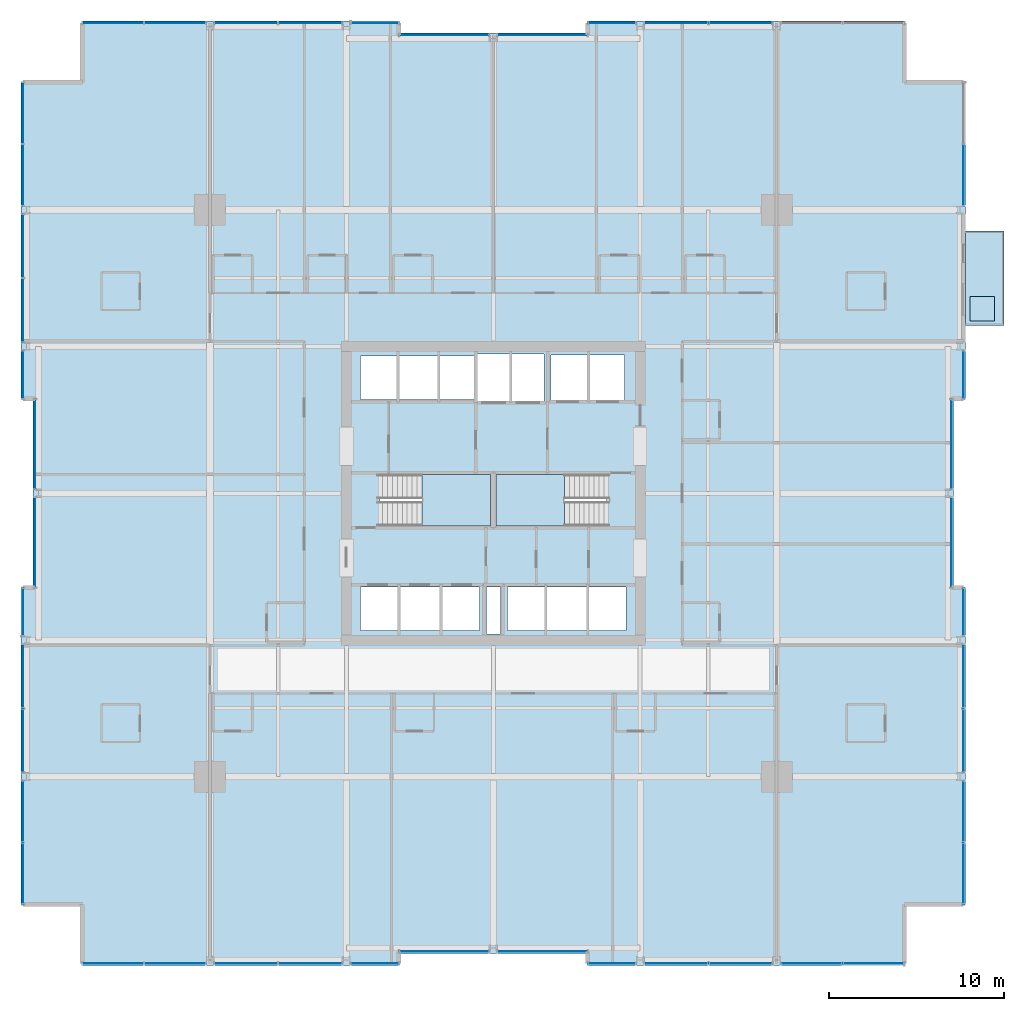
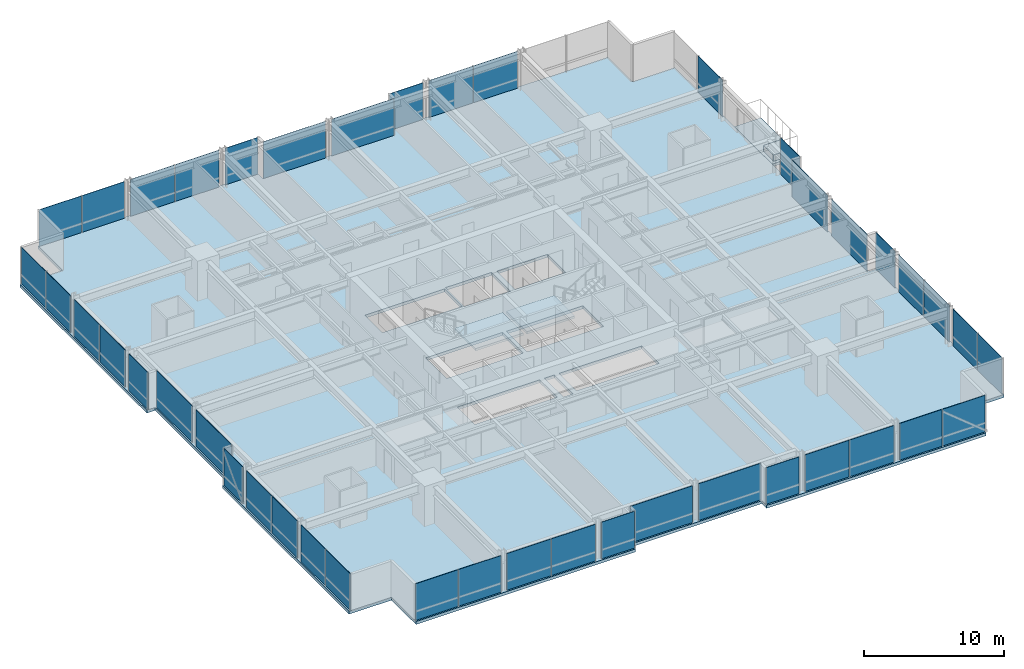
# One storey, part 29 of 38: 43 plates, 5 slabs, 32 elements without a shape of their own.
"""IFC4 building model written with IfcOpenShell, lengths in metres."""

from ifc_helpers import new_model, si_unit, direction, frame, origin, origin_2d, place, context, subcontext, project, spatial, polyline, rectangle, outline, extrude, material, layer, layer_set, type_object, element, aggregate, save


model = new_model("IFC4")

# Units and contexts
model_context = context("Model", 3, precision=1e-05, world=origin(), true_north=direction((0.0, 1.0)))
body_context = subcontext(model_context, "Body", "Model", "MODEL_VIEW")
ifc_project = project(units=[si_unit("LENGTHUNIT", "METRE"), si_unit("AREAUNIT", "SQUARE_METRE"), si_unit("VOLUMEUNIT", "CUBIC_METRE"), si_unit("PLANEANGLEUNIT", "RADIAN"), si_unit("MASSUNIT", "GRAM", prefix="KILO")], contexts=[model_context])

# Site, building, storey
site_placement = place(None, origin())
site = spatial("IfcSite", under=ifc_project, at=site_placement, CompositionType="ELEMENT")
building_placement = place(site_placement, origin())
building = spatial("IfcBuilding", under=site, at=building_placement, Name="Drelvath Grand Hotel", CompositionType="ELEMENT")
storey_placement = place(building_placement, frame((0.0, 0.0, 68.199951171875)))
storey = spatial("IfcBuildingStorey", under=building, at=storey_placement, Name="L16", CompositionType="ELEMENT", Elevation=68.199951171875)

# Slabs
ifc_material_1 = material(Name="Concrete f'c 40 MPa", Category="concrete")
ifc_layer_1 = layer(ifc_material_1, 0.239990234375)
ifc_layer_set_1 = layer_set([ifc_layer_1], Name="Concrete f'c 40 MPa")
slab_type_1 = type_object("IfcSlabType", Name="Cantilevered Tree Balcony Slab 240", PredefinedType="FLOOR", material=ifc_layer_set_1)
slab_1_placement = place(storey_placement, frame((0.0, 0.0, -0.239990234375)))
element("IfcSlab", 1, at=slab_1_placement, inside=storey, type_object=slab_type_1, Name="L16 Cantilevered Tree Balcony Slab 1", PredefinedType="FLOOR", context=body_context, shape_type="SweptSolid", body=[
    extrude(outline(polyline([(27.0, 36.60009765625), (29.199951171875, 36.60009765625), (29.199951171875, 42.0), (27.0, 42.0), (27.0, 36.60009765625)])), origin(), (0.0, 0.0, 1.0), 0.239990234375),
])
ifc_layer_2 = layer(ifc_material_1, 0.260009765625)
ifc_layer_set_2 = layer_set([ifc_layer_2], Name="Concrete f'c 40 MPa")
slab_type_2 = type_object("IfcSlabType", Name="Composite RC Floor Slab 260", PredefinedType="FLOOR", material=ifc_layer_set_2)
slab_2_placement = place(storey_placement, frame((0.0, 0.0, -0.260009765625)))
element("IfcSlab", 2, at=slab_2_placement, inside=storey, type_object=slab_type_2, Name="L16 Structural Floor Slab", PredefinedType="FLOOR", context=body_context, shape_type="SweptSolid", body=[
    extrude(outline(polyline([(-23.5, 0.0), (-5.39990234375, 0.0), (-5.39990234375, 0.679931640625), (5.39990234375, 0.679931640625), (5.39990234375, 0.0), (23.5, 0.0), (23.5, 3.5), (27.0, 3.5), (27.0, 21.60009765625), (26.320068359375, 21.60009765625), (26.320068359375, 32.39990234375), (27.0, 32.39990234375), (27.0, 50.5), (23.5, 50.5), (23.5, 54.0), (5.39990234375, 54.0), (5.39990234375, 53.320068359375), (-5.39990234375, 53.320068359375), (-5.39990234375, 54.0), (-23.5, 54.0), (-23.5, 50.5), (-27.0, 50.5), (-27.0, 32.39990234375), (-26.320068359375, 32.39990234375), (-26.320068359375, 21.60009765625), (-27.0, 21.60009765625), (-27.0, 3.5), (-23.5, 3.5), (-23.5, 0.0)]), holes=[polyline([(-6.47998046875, 25.1201171875), (-6.47998046875, 28.080078125), (-0.14990234375, 28.080078125), (-0.14990234375, 25.1201171875), (-6.47998046875, 25.1201171875)]), polyline([(0.14990234375, 25.1201171875), (0.14990234375, 28.080078125), (6.47998046875, 28.080078125), (6.47998046875, 25.1201171875), (0.14990234375, 25.1201171875)]), polyline([(-7.60009765625, 19.14990234375), (-7.60009765625, 21.64990234375), (-0.800048828125, 21.64990234375), (-0.800048828125, 19.14990234375), (-7.60009765625, 19.14990234375)]), polyline([(-0.39990234375, 18.9599609375), (-0.39990234375, 21.639892578125), (0.39990234375, 21.639892578125), (0.39990234375, 18.9599609375), (-0.39990234375, 18.9599609375)]), polyline([(0.800048828125, 19.14990234375), (0.800048828125, 21.64990234375), (7.60009765625, 21.64990234375), (7.60009765625, 19.14990234375), (0.800048828125, 19.14990234375)]), polyline([(-7.60009765625, 32.35009765625), (-7.60009765625, 34.85009765625), (-1.02001953125, 34.85009765625), (-1.02001953125, 32.35009765625), (-7.60009765625, 32.35009765625)]), polyline([(-0.89990234375, 32.25), (-0.89990234375, 34.949951171875), (2.89990234375, 34.949951171875), (2.89990234375, 32.25), (-0.89990234375, 32.25)]), polyline([(3.300048828125, 32.300048828125), (3.300048828125, 34.89990234375), (7.5, 34.89990234375), (7.5, 32.300048828125), (3.300048828125, 32.300048828125)])]), origin(), (0.0, 0.0, 1.0), 0.260009765625),
])

# Stair, slab
ifc_material_2 = material(Name="Concrete C40/50", Category="concrete")
stair_type = type_object("IfcStairType", Name="Dogleg Exit Stair W1400-R175.0", PredefinedType="HALF_TURN_STAIR", material=ifc_material_2)
stair_1_placement = place(storey_placement, origin())
stair_1 = element("IfcStair", 3, at=stair_1_placement, inside=storey, type_object=stair_type, Name="L16 Core Exit Stair ST-1", PredefinedType="HALF_TURN_STAIR")
ifc_layer_3 = layer(ifc_material_2, 0.199951171875)
ifc_layer_set_3 = layer_set([ifc_layer_3], Name="Concrete C40/50")
slab_type_3 = type_object("IfcSlabType", Name="Concrete Stair Landing Slab 200", PredefinedType="LANDING", material=ifc_layer_set_3)
slab_3_placement = place(storey_placement, frame((0.0, 0.0, 1.550048828125)))
slab_3 = element("IfcSlab", 4, at=slab_3_placement, type_object=slab_type_3, Name="ST-1 landing 1", PredefinedType="LANDING", context=body_context, shape_type="SweptSolid", body=[
    extrude(outline(polyline([(-4.080078125, 25.1201171875), (-0.14990234375, 25.1201171875), (-0.14990234375, 28.080078125), (-4.080078125, 28.080078125), (-4.080078125, 25.1201171875)])), origin(), (0.0, 0.0, 1.0), 0.199951171875),
])
aggregate(stair_1, [slab_3])

stair_2_placement = place(storey_placement, origin())
stair_2 = element("IfcStair", 5, at=stair_2_placement, inside=storey, type_object=stair_type, Name="L16 Core Exit Stair ST-2", PredefinedType="HALF_TURN_STAIR")
slab_4_placement = place(storey_placement, frame((0.0, 0.0, 1.550048828125)))
slab_4 = element("IfcSlab", 6, at=slab_4_placement, type_object=slab_type_3, Name="ST-2 landing 1", PredefinedType="LANDING", context=body_context, shape_type="SweptSolid", body=[
    extrude(outline(polyline([(4.080078125, 28.080078125), (0.14990234375, 28.080078125), (0.14990234375, 25.1201171875), (4.080078125, 25.1201171875), (4.080078125, 28.080078125)])), origin(), (0.0, 0.0, 1.0), 0.199951171875),
])
aggregate(stair_2, [slab_4])

# Curtain wall, plates
ifc_material_3 = material(Name="Warm Bronze Anodised Aluminium Frame", Category="aluminium")
ifc_layer_4 = layer(ifc_material_3, 0.199951171875)
ifc_layer_set_4 = layer_set([ifc_layer_4], Name="Warm Bronze Anodised Aluminium Frame")
curtain_wall_type = type_object("IfcCurtainWallType", Name="Stick Curtain Wall CW-02 Warm Bronze Low-Rise", PredefinedType="NOTDEFINED", material=ifc_layer_set_4)
curtain_wall_1_placement = place(storey_placement, origin())
curtain_wall_1 = element("IfcCurtainWall", 7, at=curtain_wall_1_placement, inside=storey, type_object=curtain_wall_type, Name="L16 CW-02 Curtain Wall CW02-L16-WS1", PredefinedType="NOTDEFINED")
ifc_material_4 = material(Name="Low-E Triple Silver Vision Glass Bronze Tint", Category="glass")
ifc_layer_5 = layer(ifc_material_4, 0.035888671875)
ifc_layer_set_5 = layer_set([ifc_layer_5], Name="Low-E Triple Silver Vision Glass Bronze Tint")
plate_type = type_object("IfcPlateType", Name="Curtain Wall Vision Panel CW-02 36mm", PredefinedType="CURTAIN_PANEL", material=ifc_layer_set_5)
plate_1_placement = place(storey_placement, frame((-26.8798828125, 5.267578125, 0.02001953125), z_axis=(0.0, 0.0, 1.0), x_axis=(0.0, 1.0, 0.0)))
plate_1 = element("IfcPlate", 8, at=plate_1_placement, type_object=plate_type, Name="CW02-L16-WS1 Glazed Panel 1", PredefinedType="CURTAIN_PANEL", context=body_context, shape_type="SweptSolid", body=[
    extrude(rectangle(XDim=3.495361328125, YDim=0.035888671875, at=origin_2d()), origin(), (0.0, 0.0, 1.0), 3.199951171875),
])
plate_2_placement = place(storey_placement, frame((-26.8798828125, 8.80322265625, 0.02001953125), z_axis=(0.0, 0.0, 1.0), x_axis=(0.0, 1.0, 0.0)))
plate_2 = element("IfcPlate", 9, at=plate_2_placement, type_object=plate_type, Name="CW02-L16-WS1 Glazed Panel 2", PredefinedType="CURTAIN_PANEL", context=body_context, shape_type="SweptSolid", body=[
    extrude(rectangle(XDim=3.495361328125, YDim=0.035888671875, at=origin_2d()), origin(), (0.0, 0.0, 1.0), 3.199951171875),
])
aggregate(curtain_wall_1, [plate_1, plate_2])

curtain_wall_2_placement = place(storey_placement, origin())
curtain_wall_2 = element("IfcCurtainWall", 10, at=curtain_wall_2_placement, inside=storey, type_object=curtain_wall_type, Name="L16 CW-02 Curtain Wall CW02-L16-WS2", PredefinedType="NOTDEFINED")
plate_3_placement = place(storey_placement, frame((-26.8798828125, 12.864501953125, 0.02001953125), z_axis=(0.0, 0.0, 1.0), x_axis=(0.0, 1.0, 0.0)))
plate_3 = element("IfcPlate", 11, at=plate_3_placement, type_object=plate_type, Name="CW02-L16-WS2 Glazed Panel 1", PredefinedType="CURTAIN_PANEL", context=body_context, shape_type="SweptSolid", body=[
    extrude(rectangle(XDim=3.630859375, YDim=0.035888671875, at=origin_2d()), origin(), (0.0, 0.0, 1.0), 3.199951171875),
])
plate_4_placement = place(storey_placement, frame((-26.8798828125, 16.535400390625, 0.02001953125), z_axis=(0.0, 0.0, 1.0), x_axis=(0.0, 1.0, 0.0)))
plate_4 = element("IfcPlate", 12, at=plate_4_placement, type_object=plate_type, Name="CW02-L16-WS2 Glazed Panel 2", PredefinedType="CURTAIN_PANEL", context=body_context, shape_type="SweptSolid", body=[
    extrude(rectangle(XDim=3.630859375, YDim=0.035888671875, at=origin_2d()), origin(), (0.0, 0.0, 1.0), 3.199951171875),
])
aggregate(curtain_wall_2, [plate_3, plate_4])

# Curtain wall, plate
curtain_wall_3_placement = place(storey_placement, origin())
curtain_wall_3 = element("IfcCurtainWall", 13, at=curtain_wall_3_placement, inside=storey, type_object=curtain_wall_type, Name="L16 CW-02 Curtain Wall CW02-L16-WS3", PredefinedType="NOTDEFINED")
plate_5_placement = place(storey_placement, frame((-26.8798828125, 20.214599609375, 0.02001953125), z_axis=(0.0, 0.0, 1.0), x_axis=(0.0, 1.0, 0.0)))
plate_5 = element("IfcPlate", 14, at=plate_5_placement, type_object=plate_type, Name="CW02-L16-WS3 Glazed Panel 1", PredefinedType="CURTAIN_PANEL", context=body_context, shape_type="SweptSolid", body=[
    extrude(rectangle(XDim=2.73095703125, YDim=0.035888671875, at=origin_2d()), origin(), (0.0, 0.0, 1.0), 3.199951171875),
])
aggregate(curtain_wall_3, [plate_5])

curtain_wall_4_placement = place(storey_placement, origin())
curtain_wall_4 = element("IfcCurtainWall", 15, at=curtain_wall_4_placement, inside=storey, type_object=curtain_wall_type, Name="L16 CW-02 Curtain Wall CW02-L16-WM1", PredefinedType="NOTDEFINED")
plate_6_placement = place(storey_placement, frame((-26.199951171875, 24.185302734375, 0.02001953125), z_axis=(0.0, 0.0, 1.0), x_axis=(0.0, 1.0, 0.0)))
plate_6 = element("IfcPlate", 16, at=plate_6_placement, type_object=plate_type, Name="CW02-L16-WM1 Glazed Panel 1", PredefinedType="CURTAIN_PANEL", context=body_context, shape_type="SweptSolid", body=[
    extrude(rectangle(XDim=5.130859375, YDim=0.035888671875, at=origin_2d()), origin(), (0.0, 0.0, 1.0), 3.199951171875),
])
aggregate(curtain_wall_4, [plate_6])

curtain_wall_5_placement = place(storey_placement, origin())
curtain_wall_5 = element("IfcCurtainWall", 17, at=curtain_wall_5_placement, inside=storey, type_object=curtain_wall_type, Name="L16 CW-02 Curtain Wall CW02-L16-WM2", PredefinedType="NOTDEFINED")
plate_7_placement = place(storey_placement, frame((-26.199951171875, 29.814697265625, 0.02001953125), z_axis=(0.0, 0.0, 1.0), x_axis=(0.0, 1.0, 0.0)))
plate_7 = element("IfcPlate", 18, at=plate_7_placement, type_object=plate_type, Name="CW02-L16-WM2 Glazed Panel 1", PredefinedType="CURTAIN_PANEL", context=body_context, shape_type="SweptSolid", body=[
    extrude(rectangle(XDim=5.130859375, YDim=0.035888671875, at=origin_2d()), origin(), (0.0, 0.0, 1.0), 3.199951171875),
])
aggregate(curtain_wall_5, [plate_7])

curtain_wall_6_placement = place(storey_placement, origin())
curtain_wall_6 = element("IfcCurtainWall", 19, at=curtain_wall_6_placement, inside=storey, type_object=curtain_wall_type, Name="L16 CW-02 Curtain Wall CW02-L16-WN1", PredefinedType="NOTDEFINED")
plate_8_placement = place(storey_placement, frame((-26.8798828125, 33.785400390625, 0.02001953125), z_axis=(0.0, 0.0, 1.0), x_axis=(0.0, 1.0, 0.0)))
plate_8 = element("IfcPlate", 20, at=plate_8_placement, type_object=plate_type, Name="CW02-L16-WN1 Glazed Panel 1", PredefinedType="CURTAIN_PANEL", context=body_context, shape_type="SweptSolid", body=[
    extrude(rectangle(XDim=2.73095703125, YDim=0.035888671875, at=origin_2d()), origin(), (0.0, 0.0, 1.0), 3.199951171875),
])
aggregate(curtain_wall_6, [plate_8])

# Curtain wall, plates
curtain_wall_7_placement = place(storey_placement, origin())
curtain_wall_7 = element("IfcCurtainWall", 21, at=curtain_wall_7_placement, inside=storey, type_object=curtain_wall_type, Name="L16 CW-02 Curtain Wall CW02-L16-WN2", PredefinedType="NOTDEFINED")
plate_9_placement = place(storey_placement, frame((-26.8798828125, 37.464599609375, 0.02001953125), z_axis=(0.0, 0.0, 1.0), x_axis=(0.0, 1.0, 0.0)))
plate_9 = element("IfcPlate", 22, at=plate_9_placement, type_object=plate_type, Name="CW02-L16-WN2 Glazed Panel 1", PredefinedType="CURTAIN_PANEL", context=body_context, shape_type="SweptSolid", body=[
    extrude(rectangle(XDim=3.630859375, YDim=0.035888671875, at=origin_2d()), origin(), (0.0, 0.0, 1.0), 3.199951171875),
])
plate_10_placement = place(storey_placement, frame((-26.8798828125, 41.135498046875, 0.02001953125), z_axis=(0.0, 0.0, 1.0), x_axis=(0.0, 1.0, 0.0)))
plate_10 = element("IfcPlate", 23, at=plate_10_placement, type_object=plate_type, Name="CW02-L16-WN2 Glazed Panel 2", PredefinedType="CURTAIN_PANEL", context=body_context, shape_type="SweptSolid", body=[
    extrude(rectangle(XDim=3.630859375, YDim=0.035888671875, at=origin_2d()), origin(), (0.0, 0.0, 1.0), 3.199951171875),
])
aggregate(curtain_wall_7, [plate_9, plate_10])

curtain_wall_8_placement = place(storey_placement, origin())
curtain_wall_8 = element("IfcCurtainWall", 24, at=curtain_wall_8_placement, inside=storey, type_object=curtain_wall_type, Name="L16 CW-02 Curtain Wall CW02-L16-WN3", PredefinedType="NOTDEFINED")
plate_11_placement = place(storey_placement, frame((-26.8798828125, 45.19677734375, 0.02001953125), z_axis=(0.0, 0.0, 1.0), x_axis=(0.0, 1.0, 0.0)))
plate_11 = element("IfcPlate", 25, at=plate_11_placement, type_object=plate_type, Name="CW02-L16-WN3 Glazed Panel 1", PredefinedType="CURTAIN_PANEL", context=body_context, shape_type="SweptSolid", body=[
    extrude(rectangle(XDim=3.49560546875, YDim=0.035888671875, at=origin_2d()), origin(), (0.0, 0.0, 1.0), 3.199951171875),
])
plate_12_placement = place(storey_placement, frame((-26.8798828125, 48.732421875, 0.02001953125), z_axis=(0.0, 0.0, 1.0), x_axis=(0.0, 1.0, 0.0)))
plate_12 = element("IfcPlate", 26, at=plate_12_placement, type_object=plate_type, Name="CW02-L16-WN3 Glazed Panel 2", PredefinedType="CURTAIN_PANEL", context=body_context, shape_type="SweptSolid", body=[
    extrude(rectangle(XDim=3.49560546875, YDim=0.035888671875, at=origin_2d()), origin(), (0.0, 0.0, 1.0), 3.199951171875),
])
aggregate(curtain_wall_8, [plate_11, plate_12])

# Curtain wall, plate
curtain_wall_9_placement = place(storey_placement, origin())
curtain_wall_9 = element("IfcCurtainWall", 27, at=curtain_wall_9_placement, inside=storey, type_object=curtain_wall_type, Name="L16 CW-02 Curtain Wall CW02-L16-EN1", PredefinedType="NOTDEFINED")
plate_13_placement = place(storey_placement, frame((26.8798828125, 33.785400390625, 0.02001953125), z_axis=(0.0, 0.0, 1.0), x_axis=(0.0, -1.0, 0.0)))
plate_13 = element("IfcPlate", 28, at=plate_13_placement, type_object=plate_type, Name="CW02-L16-EN1 Glazed Panel 1", PredefinedType="CURTAIN_PANEL", context=body_context, shape_type="SweptSolid", body=[
    extrude(rectangle(XDim=2.73095703125, YDim=0.035888671875, at=origin_2d()), origin(), (0.0, 0.0, 1.0), 3.199951171875),
])
aggregate(curtain_wall_9, [plate_13])

curtain_wall_10_placement = place(storey_placement, origin())
curtain_wall_10 = element("IfcCurtainWall", 29, at=curtain_wall_10_placement, inside=storey, type_object=curtain_wall_type, Name="L16 CW-02 Curtain Wall CW02-L16-EN3", PredefinedType="NOTDEFINED")
plate_14_placement = place(storey_placement, frame((26.8798828125, 45.19677734375, 0.02001953125), z_axis=(0.0, 0.0, 1.0), x_axis=(0.0, -1.0, 0.0)))
plate_14 = element("IfcPlate", 30, at=plate_14_placement, type_object=plate_type, Name="CW02-L16-EN3 Glazed Panel 2", PredefinedType="CURTAIN_PANEL", context=body_context, shape_type="SweptSolid", body=[
    extrude(rectangle(XDim=3.49560546875, YDim=0.035888671875, at=origin_2d()), origin(), (0.0, 0.0, 1.0), 3.199951171875),
])
aggregate(curtain_wall_10, [plate_14])

curtain_wall_11_placement = place(storey_placement, origin())
curtain_wall_11 = element("IfcCurtainWall", 31, at=curtain_wall_11_placement, inside=storey, type_object=curtain_wall_type, Name="L16 CW-02 Curtain Wall CW02-L16-EM1", PredefinedType="NOTDEFINED")
plate_15_placement = place(storey_placement, frame((26.199951171875, 24.185302734375, 0.02001953125), z_axis=(0.0, 0.0, 1.0), x_axis=(0.0, -1.0, 0.0)))
plate_15 = element("IfcPlate", 32, at=plate_15_placement, type_object=plate_type, Name="CW02-L16-EM1 Glazed Panel 1", PredefinedType="CURTAIN_PANEL", context=body_context, shape_type="SweptSolid", body=[
    extrude(rectangle(XDim=5.130859375, YDim=0.035888671875, at=origin_2d()), origin(), (0.0, 0.0, 1.0), 3.199951171875),
])
aggregate(curtain_wall_11, [plate_15])

curtain_wall_12_placement = place(storey_placement, origin())
curtain_wall_12 = element("IfcCurtainWall", 33, at=curtain_wall_12_placement, inside=storey, type_object=curtain_wall_type, Name="L16 CW-02 Curtain Wall CW02-L16-EM2", PredefinedType="NOTDEFINED")
plate_16_placement = place(storey_placement, frame((26.199951171875, 29.814697265625, 0.02001953125), z_axis=(0.0, 0.0, 1.0), x_axis=(0.0, -1.0, 0.0)))
plate_16 = element("IfcPlate", 34, at=plate_16_placement, type_object=plate_type, Name="CW02-L16-EM2 Glazed Panel 1", PredefinedType="CURTAIN_PANEL", context=body_context, shape_type="SweptSolid", body=[
    extrude(rectangle(XDim=5.130859375, YDim=0.035888671875, at=origin_2d()), origin(), (0.0, 0.0, 1.0), 3.199951171875),
])
aggregate(curtain_wall_12, [plate_16])

# Curtain wall, plates
curtain_wall_13_placement = place(storey_placement, origin())
curtain_wall_13 = element("IfcCurtainWall", 35, at=curtain_wall_13_placement, inside=storey, type_object=curtain_wall_type, Name="L16 CW-02 Curtain Wall CW02-L16-ES1", PredefinedType="NOTDEFINED")
plate_17_placement = place(storey_placement, frame((26.8798828125, 8.80322265625, 0.02001953125), z_axis=(0.0, 0.0, 1.0), x_axis=(0.0, -1.0, 0.0)))
plate_17 = element("IfcPlate", 36, at=plate_17_placement, type_object=plate_type, Name="CW02-L16-ES1 Glazed Panel 1", PredefinedType="CURTAIN_PANEL", context=body_context, shape_type="SweptSolid", body=[
    extrude(rectangle(XDim=3.495361328125, YDim=0.035888671875, at=origin_2d()), origin(), (0.0, 0.0, 1.0), 3.199951171875),
])
plate_18_placement = place(storey_placement, frame((26.8798828125, 5.267578125, 0.02001953125), z_axis=(0.0, 0.0, 1.0), x_axis=(0.0, -1.0, 0.0)))
plate_18 = element("IfcPlate", 37, at=plate_18_placement, type_object=plate_type, Name="CW02-L16-ES1 Glazed Panel 2", PredefinedType="CURTAIN_PANEL", context=body_context, shape_type="SweptSolid", body=[
    extrude(rectangle(XDim=3.495361328125, YDim=0.035888671875, at=origin_2d()), origin(), (0.0, 0.0, 1.0), 3.199951171875),
])
aggregate(curtain_wall_13, [plate_17, plate_18])

curtain_wall_14_placement = place(storey_placement, origin())
curtain_wall_14 = element("IfcCurtainWall", 38, at=curtain_wall_14_placement, inside=storey, type_object=curtain_wall_type, Name="L16 CW-02 Curtain Wall CW02-L16-ES2", PredefinedType="NOTDEFINED")
plate_19_placement = place(storey_placement, frame((26.8798828125, 16.535400390625, 0.02001953125), z_axis=(0.0, 0.0, 1.0), x_axis=(0.0, -1.0, 0.0)))
plate_19 = element("IfcPlate", 39, at=plate_19_placement, type_object=plate_type, Name="CW02-L16-ES2 Glazed Panel 1", PredefinedType="CURTAIN_PANEL", context=body_context, shape_type="SweptSolid", body=[
    extrude(rectangle(XDim=3.630859375, YDim=0.035888671875, at=origin_2d()), origin(), (0.0, 0.0, 1.0), 3.199951171875),
])
plate_20_placement = place(storey_placement, frame((26.8798828125, 12.864501953125, 0.02001953125), z_axis=(0.0, 0.0, 1.0), x_axis=(0.0, -1.0, 0.0)))
plate_20 = element("IfcPlate", 40, at=plate_20_placement, type_object=plate_type, Name="CW02-L16-ES2 Glazed Panel 2", PredefinedType="CURTAIN_PANEL", context=body_context, shape_type="SweptSolid", body=[
    extrude(rectangle(XDim=3.630859375, YDim=0.035888671875, at=origin_2d()), origin(), (0.0, 0.0, 1.0), 3.199951171875),
])
aggregate(curtain_wall_14, [plate_19, plate_20])

# Curtain wall, plate
curtain_wall_15_placement = place(storey_placement, origin())
curtain_wall_15 = element("IfcCurtainWall", 41, at=curtain_wall_15_placement, inside=storey, type_object=curtain_wall_type, Name="L16 CW-02 Curtain Wall CW02-L16-ES3", PredefinedType="NOTDEFINED")
plate_21_placement = place(storey_placement, frame((26.8798828125, 20.214599609375, 0.02001953125), z_axis=(0.0, 0.0, 1.0), x_axis=(0.0, -1.0, 0.0)))
plate_21 = element("IfcPlate", 42, at=plate_21_placement, type_object=plate_type, Name="CW02-L16-ES3 Glazed Panel 1", PredefinedType="CURTAIN_PANEL", context=body_context, shape_type="SweptSolid", body=[
    extrude(rectangle(XDim=2.73095703125, YDim=0.035888671875, at=origin_2d()), origin(), (0.0, 0.0, 1.0), 3.199951171875),
])
aggregate(curtain_wall_15, [plate_21])

# Curtain wall, plates
curtain_wall_16_placement = place(storey_placement, origin())
curtain_wall_16 = element("IfcCurtainWall", 43, at=curtain_wall_16_placement, inside=storey, type_object=curtain_wall_type, Name="L16 CW-02 Curtain Wall CW02-L16-NW1", PredefinedType="NOTDEFINED")
plate_22_placement = place(storey_placement, frame((-21.732421875, 53.8798828125, 0.02001953125), z_axis=(0.0, 0.0, 1.0), x_axis=(1.0, 0.0, 0.0)))
plate_22 = element("IfcPlate", 44, at=plate_22_placement, type_object=plate_type, Name="CW02-L16-NW1 Glazed Panel 1", PredefinedType="CURTAIN_PANEL", context=body_context, shape_type="SweptSolid", body=[
    extrude(rectangle(XDim=3.49560546875, YDim=0.035888671875, at=origin_2d()), origin(), (0.0, 0.0, 1.0), 3.199951171875),
])
plate_23_placement = place(storey_placement, frame((-18.19677734375, 53.8798828125, 0.02001953125), z_axis=(0.0, 0.0, 1.0), x_axis=(1.0, 0.0, 0.0)))
plate_23 = element("IfcPlate", 45, at=plate_23_placement, type_object=plate_type, Name="CW02-L16-NW1 Glazed Panel 2", PredefinedType="CURTAIN_PANEL", context=body_context, shape_type="SweptSolid", body=[
    extrude(rectangle(XDim=3.49560546875, YDim=0.035888671875, at=origin_2d()), origin(), (0.0, 0.0, 1.0), 3.199951171875),
])
aggregate(curtain_wall_16, [plate_22, plate_23])

curtain_wall_17_placement = place(storey_placement, origin())
curtain_wall_17 = element("IfcCurtainWall", 46, at=curtain_wall_17_placement, inside=storey, type_object=curtain_wall_type, Name="L16 CW-02 Curtain Wall CW02-L16-NW2", PredefinedType="NOTDEFINED")
plate_24_placement = place(storey_placement, frame((-14.135498046875, 53.8798828125, 0.02001953125), z_axis=(0.0, 0.0, 1.0), x_axis=(1.0, 0.0, 0.0)))
plate_24 = element("IfcPlate", 47, at=plate_24_placement, type_object=plate_type, Name="CW02-L16-NW2 Glazed Panel 1", PredefinedType="CURTAIN_PANEL", context=body_context, shape_type="SweptSolid", body=[
    extrude(rectangle(XDim=3.630859375, YDim=0.035888671875, at=origin_2d()), origin(), (0.0, 0.0, 1.0), 3.199951171875),
])
plate_25_placement = place(storey_placement, frame((-10.464599609375, 53.8798828125, 0.02001953125), z_axis=(0.0, 0.0, 1.0), x_axis=(1.0, 0.0, 0.0)))
plate_25 = element("IfcPlate", 48, at=plate_25_placement, type_object=plate_type, Name="CW02-L16-NW2 Glazed Panel 2", PredefinedType="CURTAIN_PANEL", context=body_context, shape_type="SweptSolid", body=[
    extrude(rectangle(XDim=3.630859375, YDim=0.035888671875, at=origin_2d()), origin(), (0.0, 0.0, 1.0), 3.199951171875),
])
aggregate(curtain_wall_17, [plate_24, plate_25])

# Curtain wall, plate
curtain_wall_18_placement = place(storey_placement, origin())
curtain_wall_18 = element("IfcCurtainWall", 49, at=curtain_wall_18_placement, inside=storey, type_object=curtain_wall_type, Name="L16 CW-02 Curtain Wall CW02-L16-NW3", PredefinedType="NOTDEFINED")
plate_26_placement = place(storey_placement, frame((-6.785400390625, 53.8798828125, 0.02001953125), z_axis=(0.0, 0.0, 1.0), x_axis=(1.0, 0.0, 0.0)))
plate_26 = element("IfcPlate", 50, at=plate_26_placement, type_object=plate_type, Name="CW02-L16-NW3 Glazed Panel 1", PredefinedType="CURTAIN_PANEL", context=body_context, shape_type="SweptSolid", body=[
    extrude(rectangle(XDim=2.73095703125, YDim=0.035888671875, at=origin_2d()), origin(), (0.0, 0.0, 1.0), 3.199951171875),
])
aggregate(curtain_wall_18, [plate_26])

curtain_wall_19_placement = place(storey_placement, origin())
curtain_wall_19 = element("IfcCurtainWall", 51, at=curtain_wall_19_placement, inside=storey, type_object=curtain_wall_type, Name="L16 CW-02 Curtain Wall CW02-L16-NM1", PredefinedType="NOTDEFINED")
plate_27_placement = place(storey_placement, frame((-2.814697265625, 53.199951171875, 0.02001953125), z_axis=(0.0, 0.0, 1.0), x_axis=(1.0, 0.0, 0.0)))
plate_27 = element("IfcPlate", 52, at=plate_27_placement, type_object=plate_type, Name="CW02-L16-NM1 Glazed Panel 1", PredefinedType="CURTAIN_PANEL", context=body_context, shape_type="SweptSolid", body=[
    extrude(rectangle(XDim=5.130859375, YDim=0.035888671875, at=origin_2d()), origin(), (0.0, 0.0, 1.0), 3.199951171875),
])
aggregate(curtain_wall_19, [plate_27])

curtain_wall_20_placement = place(storey_placement, origin())
curtain_wall_20 = element("IfcCurtainWall", 53, at=curtain_wall_20_placement, inside=storey, type_object=curtain_wall_type, Name="L16 CW-02 Curtain Wall CW02-L16-NM2", PredefinedType="NOTDEFINED")
plate_28_placement = place(storey_placement, frame((2.814697265625, 53.199951171875, 0.02001953125), z_axis=(0.0, 0.0, 1.0), x_axis=(1.0, 0.0, 0.0)))
plate_28 = element("IfcPlate", 54, at=plate_28_placement, type_object=plate_type, Name="CW02-L16-NM2 Glazed Panel 1", PredefinedType="CURTAIN_PANEL", context=body_context, shape_type="SweptSolid", body=[
    extrude(rectangle(XDim=5.130859375, YDim=0.035888671875, at=origin_2d()), origin(), (0.0, 0.0, 1.0), 3.199951171875),
])
aggregate(curtain_wall_20, [plate_28])

curtain_wall_21_placement = place(storey_placement, origin())
curtain_wall_21 = element("IfcCurtainWall", 55, at=curtain_wall_21_placement, inside=storey, type_object=curtain_wall_type, Name="L16 CW-02 Curtain Wall CW02-L16-NE1", PredefinedType="NOTDEFINED")
plate_29_placement = place(storey_placement, frame((6.785400390625, 53.8798828125, 0.02001953125), z_axis=(0.0, 0.0, 1.0), x_axis=(1.0, 0.0, 0.0)))
plate_29 = element("IfcPlate", 56, at=plate_29_placement, type_object=plate_type, Name="CW02-L16-NE1 Glazed Panel 1", PredefinedType="CURTAIN_PANEL", context=body_context, shape_type="SweptSolid", body=[
    extrude(rectangle(XDim=2.73095703125, YDim=0.035888671875, at=origin_2d()), origin(), (0.0, 0.0, 1.0), 3.199951171875),
])
aggregate(curtain_wall_21, [plate_29])

# Curtain wall, plates
curtain_wall_22_placement = place(storey_placement, origin())
curtain_wall_22 = element("IfcCurtainWall", 57, at=curtain_wall_22_placement, inside=storey, type_object=curtain_wall_type, Name="L16 CW-02 Curtain Wall CW02-L16-NE2", PredefinedType="NOTDEFINED")
plate_30_placement = place(storey_placement, frame((10.464599609375, 53.8798828125, 0.02001953125), z_axis=(0.0, 0.0, 1.0), x_axis=(1.0, 0.0, 0.0)))
plate_30 = element("IfcPlate", 58, at=plate_30_placement, type_object=plate_type, Name="CW02-L16-NE2 Glazed Panel 1", PredefinedType="CURTAIN_PANEL", context=body_context, shape_type="SweptSolid", body=[
    extrude(rectangle(XDim=3.630859375, YDim=0.035888671875, at=origin_2d()), origin(), (0.0, 0.0, 1.0), 3.199951171875),
])
plate_31_placement = place(storey_placement, frame((14.135498046875, 53.8798828125, 0.02001953125), z_axis=(0.0, 0.0, 1.0), x_axis=(1.0, 0.0, 0.0)))
plate_31 = element("IfcPlate", 59, at=plate_31_placement, type_object=plate_type, Name="CW02-L16-NE2 Glazed Panel 2", PredefinedType="CURTAIN_PANEL", context=body_context, shape_type="SweptSolid", body=[
    extrude(rectangle(XDim=3.630859375, YDim=0.035888671875, at=origin_2d()), origin(), (0.0, 0.0, 1.0), 3.199951171875),
])
aggregate(curtain_wall_22, [plate_30, plate_31])

# Curtain wall, plate
curtain_wall_23_placement = place(storey_placement, origin())
curtain_wall_23 = element("IfcCurtainWall", 60, at=curtain_wall_23_placement, inside=storey, type_object=curtain_wall_type, Name="L16 CW-02 Curtain Wall CW02-L16-SE1", PredefinedType="NOTDEFINED")
plate_32_placement = place(storey_placement, frame((6.785400390625, 0.1201171875, 0.02001953125), z_axis=(0.0, 0.0, 1.0), x_axis=(-1.0, 0.0, 0.0)))
plate_32 = element("IfcPlate", 61, at=plate_32_placement, type_object=plate_type, Name="CW02-L16-SE1 Glazed Panel 1", PredefinedType="CURTAIN_PANEL", context=body_context, shape_type="SweptSolid", body=[
    extrude(rectangle(XDim=2.73095703125, YDim=0.035888671875, at=origin_2d()), origin(), (0.0, 0.0, 1.0), 3.199951171875),
])
aggregate(curtain_wall_23, [plate_32])

# Curtain wall, plates
curtain_wall_24_placement = place(storey_placement, origin())
curtain_wall_24 = element("IfcCurtainWall", 62, at=curtain_wall_24_placement, inside=storey, type_object=curtain_wall_type, Name="L16 CW-02 Curtain Wall CW02-L16-SE2", PredefinedType="NOTDEFINED")
plate_33_placement = place(storey_placement, frame((14.135498046875, 0.1201171875, 0.02001953125), z_axis=(0.0, 0.0, 1.0), x_axis=(-1.0, 0.0, 0.0)))
plate_33 = element("IfcPlate", 63, at=plate_33_placement, type_object=plate_type, Name="CW02-L16-SE2 Glazed Panel 1", PredefinedType="CURTAIN_PANEL", context=body_context, shape_type="SweptSolid", body=[
    extrude(rectangle(XDim=3.630859375, YDim=0.035888671875, at=origin_2d()), origin(), (0.0, 0.0, 1.0), 3.199951171875),
])
plate_34_placement = place(storey_placement, frame((10.464599609375, 0.1201171875, 0.02001953125), z_axis=(0.0, 0.0, 1.0), x_axis=(-1.0, 0.0, 0.0)))
plate_34 = element("IfcPlate", 64, at=plate_34_placement, type_object=plate_type, Name="CW02-L16-SE2 Glazed Panel 2", PredefinedType="CURTAIN_PANEL", context=body_context, shape_type="SweptSolid", body=[
    extrude(rectangle(XDim=3.630859375, YDim=0.035888671875, at=origin_2d()), origin(), (0.0, 0.0, 1.0), 3.199951171875),
])
aggregate(curtain_wall_24, [plate_33, plate_34])

curtain_wall_25_placement = place(storey_placement, origin())
curtain_wall_25 = element("IfcCurtainWall", 65, at=curtain_wall_25_placement, inside=storey, type_object=curtain_wall_type, Name="L16 CW-02 Curtain Wall CW02-L16-SE3", PredefinedType="NOTDEFINED")
plate_35_placement = place(storey_placement, frame((21.732421875, 0.1201171875, 0.02001953125), z_axis=(0.0, 0.0, 1.0), x_axis=(-1.0, 0.0, 0.0)))
plate_35 = element("IfcPlate", 66, at=plate_35_placement, type_object=plate_type, Name="CW02-L16-SE3 Glazed Panel 1", PredefinedType="CURTAIN_PANEL", context=body_context, shape_type="SweptSolid", body=[
    extrude(rectangle(XDim=3.49560546875, YDim=0.035888671875, at=origin_2d()), origin(), (0.0, 0.0, 1.0), 3.199951171875),
])
plate_36_placement = place(storey_placement, frame((18.19677734375, 0.1201171875, 0.02001953125), z_axis=(0.0, 0.0, 1.0), x_axis=(-1.0, 0.0, 0.0)))
plate_36 = element("IfcPlate", 67, at=plate_36_placement, type_object=plate_type, Name="CW02-L16-SE3 Glazed Panel 2", PredefinedType="CURTAIN_PANEL", context=body_context, shape_type="SweptSolid", body=[
    extrude(rectangle(XDim=3.49560546875, YDim=0.035888671875, at=origin_2d()), origin(), (0.0, 0.0, 1.0), 3.199951171875),
])
aggregate(curtain_wall_25, [plate_35, plate_36])

# Curtain wall, plate
curtain_wall_26_placement = place(storey_placement, origin())
curtain_wall_26 = element("IfcCurtainWall", 68, at=curtain_wall_26_placement, inside=storey, type_object=curtain_wall_type, Name="L16 CW-02 Curtain Wall CW02-L16-SM1", PredefinedType="NOTDEFINED")
plate_37_placement = place(storey_placement, frame((-2.814697265625, 0.800048828125, 0.02001953125), z_axis=(0.0, 0.0, 1.0), x_axis=(-1.0, 0.0, 0.0)))
plate_37 = element("IfcPlate", 69, at=plate_37_placement, type_object=plate_type, Name="CW02-L16-SM1 Glazed Panel 1", PredefinedType="CURTAIN_PANEL", context=body_context, shape_type="SweptSolid", body=[
    extrude(rectangle(XDim=5.130859375, YDim=0.035888671875, at=origin_2d()), origin(), (0.0, 0.0, 1.0), 3.199951171875),
])
aggregate(curtain_wall_26, [plate_37])

curtain_wall_27_placement = place(storey_placement, origin())
curtain_wall_27 = element("IfcCurtainWall", 70, at=curtain_wall_27_placement, inside=storey, type_object=curtain_wall_type, Name="L16 CW-02 Curtain Wall CW02-L16-SM2", PredefinedType="NOTDEFINED")
plate_38_placement = place(storey_placement, frame((2.814697265625, 0.800048828125, 0.02001953125), z_axis=(0.0, 0.0, 1.0), x_axis=(-1.0, 0.0, 0.0)))
plate_38 = element("IfcPlate", 71, at=plate_38_placement, type_object=plate_type, Name="CW02-L16-SM2 Glazed Panel 1", PredefinedType="CURTAIN_PANEL", context=body_context, shape_type="SweptSolid", body=[
    extrude(rectangle(XDim=5.130859375, YDim=0.035888671875, at=origin_2d()), origin(), (0.0, 0.0, 1.0), 3.199951171875),
])
aggregate(curtain_wall_27, [plate_38])

# Curtain wall, plates
curtain_wall_28_placement = place(storey_placement, origin())
curtain_wall_28 = element("IfcCurtainWall", 72, at=curtain_wall_28_placement, inside=storey, type_object=curtain_wall_type, Name="L16 CW-02 Curtain Wall CW02-L16-SW1", PredefinedType="NOTDEFINED")
plate_39_placement = place(storey_placement, frame((-18.19677734375, 0.1201171875, 0.02001953125), z_axis=(0.0, 0.0, 1.0), x_axis=(-1.0, 0.0, 0.0)))
plate_39 = element("IfcPlate", 73, at=plate_39_placement, type_object=plate_type, Name="CW02-L16-SW1 Glazed Panel 1", PredefinedType="CURTAIN_PANEL", context=body_context, shape_type="SweptSolid", body=[
    extrude(rectangle(XDim=3.49560546875, YDim=0.035888671875, at=origin_2d()), origin(), (0.0, 0.0, 1.0), 3.199951171875),
])
plate_40_placement = place(storey_placement, frame((-21.732421875, 0.1201171875, 0.02001953125), z_axis=(0.0, 0.0, 1.0), x_axis=(-1.0, 0.0, 0.0)))
plate_40 = element("IfcPlate", 74, at=plate_40_placement, type_object=plate_type, Name="CW02-L16-SW1 Glazed Panel 2", PredefinedType="CURTAIN_PANEL", context=body_context, shape_type="SweptSolid", body=[
    extrude(rectangle(XDim=3.49560546875, YDim=0.035888671875, at=origin_2d()), origin(), (0.0, 0.0, 1.0), 3.199951171875),
])
aggregate(curtain_wall_28, [plate_39, plate_40])

curtain_wall_29_placement = place(storey_placement, origin())
curtain_wall_29 = element("IfcCurtainWall", 75, at=curtain_wall_29_placement, inside=storey, type_object=curtain_wall_type, Name="L16 CW-02 Curtain Wall CW02-L16-SW2", PredefinedType="NOTDEFINED")
plate_41_placement = place(storey_placement, frame((-10.464599609375, 0.1201171875, 0.02001953125), z_axis=(0.0, 0.0, 1.0), x_axis=(-1.0, 0.0, 0.0)))
plate_41 = element("IfcPlate", 76, at=plate_41_placement, type_object=plate_type, Name="CW02-L16-SW2 Glazed Panel 1", PredefinedType="CURTAIN_PANEL", context=body_context, shape_type="SweptSolid", body=[
    extrude(rectangle(XDim=3.630859375, YDim=0.035888671875, at=origin_2d()), origin(), (0.0, 0.0, 1.0), 3.199951171875),
])
plate_42_placement = place(storey_placement, frame((-14.135498046875, 0.1201171875, 0.02001953125), z_axis=(0.0, 0.0, 1.0), x_axis=(-1.0, 0.0, 0.0)))
plate_42 = element("IfcPlate", 77, at=plate_42_placement, type_object=plate_type, Name="CW02-L16-SW2 Glazed Panel 2", PredefinedType="CURTAIN_PANEL", context=body_context, shape_type="SweptSolid", body=[
    extrude(rectangle(XDim=3.630859375, YDim=0.035888671875, at=origin_2d()), origin(), (0.0, 0.0, 1.0), 3.199951171875),
])
aggregate(curtain_wall_29, [plate_41, plate_42])

# Curtain wall, plate
curtain_wall_30_placement = place(storey_placement, origin())
curtain_wall_30 = element("IfcCurtainWall", 78, at=curtain_wall_30_placement, inside=storey, type_object=curtain_wall_type, Name="L16 CW-02 Curtain Wall CW02-L16-SW3", PredefinedType="NOTDEFINED")
plate_43_placement = place(storey_placement, frame((-6.785400390625, 0.1201171875, 0.02001953125), z_axis=(0.0, 0.0, 1.0), x_axis=(-1.0, 0.0, 0.0)))
plate_43 = element("IfcPlate", 79, at=plate_43_placement, type_object=plate_type, Name="CW02-L16-SW3 Glazed Panel 1", PredefinedType="CURTAIN_PANEL", context=body_context, shape_type="SweptSolid", body=[
    extrude(rectangle(XDim=2.73095703125, YDim=0.035888671875, at=origin_2d()), origin(), (0.0, 0.0, 1.0), 3.199951171875),
])
aggregate(curtain_wall_30, [plate_43])

# Slab
ifc_layer_6 = layer(ifc_material_1, 0.550048828125)
ifc_layer_set_6 = layer_set([ifc_layer_6], Name="Concrete f'c 40 MPa")
slab_type_4 = type_object("IfcSlabType", Name="Structural Tree Planter Box 550", PredefinedType="USERDEFINED", material=ifc_layer_set_6)
slab_5_placement = place(storey_placement, origin())
element("IfcSlab", 80, at=slab_5_placement, inside=storey, type_object=slab_type_4, Name="L16 Tree Balcony Structural Planter 1", ObjectType="PLANTER", PredefinedType="USERDEFINED", context=body_context, shape_type="SweptSolid", body=[
    extrude(outline(polyline([(27.25, 36.85009765625), (28.64990234375, 36.85009765625), (28.64990234375, 38.25), (27.25, 38.25), (27.25, 36.85009765625)])), origin(), (0.0, 0.0, 1.0), 0.550048828125),
])

save(model, "model.ifc")
